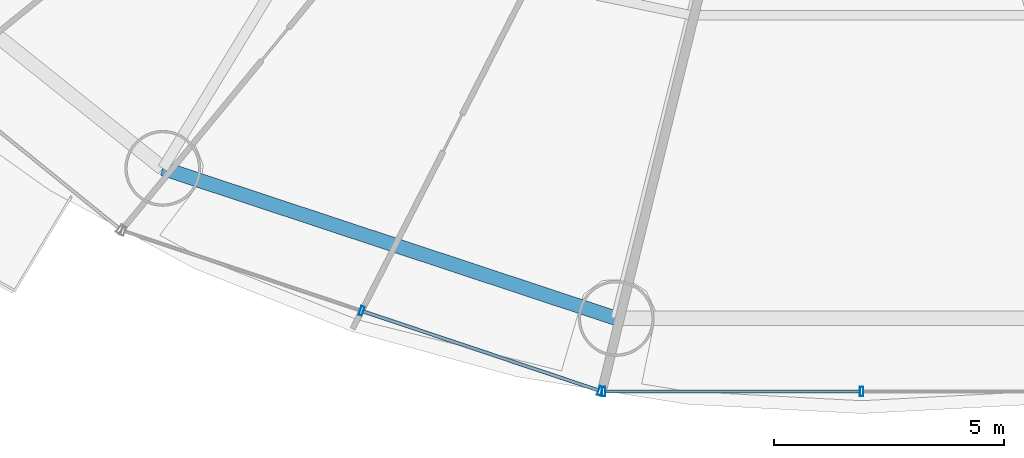
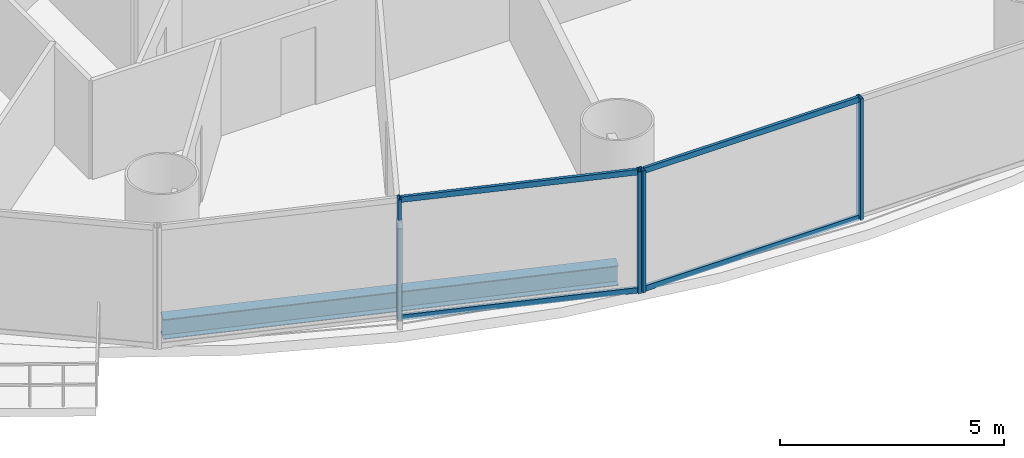
# One storey, part 4 of 30: 8 members, 1 beam, 2 elements without a shape of their own.
"""IFC4 building model written with IfcOpenShell, lengths in metres."""

from ifc_helpers import new_model, si_unit, direction, frame, origin, origin_2d, place, context, subcontext, project, spatial, hollow_rectangle, i_section, extrude, source, transform, mapped, material, material_profile, profile_set, type_object, element, aggregate, save


model = new_model("IFC4")

# Units and contexts
model_context = context("Model", 3, precision=1e-05, world=origin(), true_north=direction((-0.2419218956, 0.970295726276)))
body_context = subcontext(model_context, "Body", "Model", "MODEL_VIEW")
ifc_project = project(units=[si_unit("LENGTHUNIT", "METRE"), si_unit("AREAUNIT", "SQUARE_METRE"), si_unit("VOLUMEUNIT", "CUBIC_METRE"), si_unit("PLANEANGLEUNIT", "RADIAN"), si_unit("MASSUNIT", "GRAM", prefix="KILO")], contexts=[model_context])

# Site, building, storey
site_placement = place(None, origin())
site = spatial("IfcSite", under=ifc_project, at=site_placement, CompositionType="ELEMENT")
building_placement = place(site_placement, origin())
building = spatial("IfcBuilding", under=site, at=building_placement, Name="Cobrevalo Terracotta Tower", CompositionType="ELEMENT")
storey_placement = place(building_placement, frame((0.0, 0.0, 31.199951171875)))
storey = spatial("IfcBuildingStorey", under=building, at=storey_placement, Name="L07", CompositionType="ELEMENT", Elevation=31.199951171875)

# Beam
ifc_material_1 = material(Name="Steel S355", Category="steel")
ifc_material_profile_1 = material_profile(ifc_material_1, i_section(OverallWidth=0.31201171875, OverallDepth=0.54296875, WebThickness=0.0126953125, FlangeThickness=0.020263671875, at=origin_2d()), Name="W 530x150")
ifc_profile_set_1 = profile_set([ifc_material_profile_1], Name="Steel S355")
beam_type = type_object("IfcBeamType", Name="Structural Spandrel W 530x150 (Steel S355)", PredefinedType="SPANDREL", material=ifc_profile_set_1)
beam_placement = place(storey_placement, frame((22.80517578125, 8.63232421875, -0.551513671875), z_axis=(0.949372202648, -0.314153498848, 0.0), x_axis=(0.314153498848, 0.949372202648, 0.0)))
element("IfcBeam", 1, at=beam_placement, inside=storey, type_object=beam_type, Name="L07 perimeter ring spandrel 11", PredefinedType="SPANDREL", context=body_context, shape_type="SweptSolid", body=[
    extrude(i_section(OverallWidth=0.31201171875, OverallDepth=0.54296875, WebThickness=0.0126953125, FlangeThickness=0.020263671875, at=origin_2d()), origin(), (0.0, 0.0, 1.0), 10.385009765625),
])

# Curtain wall, members
ifc_material_2 = material(Name="Anodized aluminium", Category="aluminium")
curtain_wall_type = type_object("IfcCurtainWallType", Name="Lower-tower unitised acoustic low-E curtain wall CW-U1", PredefinedType="NOTDEFINED", material=ifc_material_2)
curtain_wall_1_placement = place(storey_placement, origin())
curtain_wall_1 = element("IfcCurtainWall", 2, at=curtain_wall_1_placement, inside=storey, type_object=curtain_wall_type, Name="L07 curtain wall CW-L07-S11", PredefinedType="NOTDEFINED")
ifc_material_profile_2 = material_profile(ifc_material_2, hollow_rectangle(XDim=0.074951171875, YDim=0.199951171875, WallThickness=0.0048828125, at=origin_2d()), Name="CWM 75x200")
ifc_profile_set_2 = profile_set([ifc_material_profile_2], Name="Anodized aluminium")
member_type_1 = type_object("IfcMemberType", Name="Lower/mid tower unitised mullion 75x200", PredefinedType="MULLION", material=ifc_profile_set_2)
shared_shape_1 = source(origin(), body_context, "Body", "SweptSolid", [
    extrude(hollow_rectangle(XDim=0.074951171875, YDim=0.199951171875, WallThickness=0.0048828125, at=origin_2d()), origin(), (0.0, 0.0, 1.0), 3.320068359375),
])
member_1_placement = place(storey_placement, frame((27.126708984375, 5.533203125, 0.0), z_axis=(0.0, 0.0, 1.0), x_axis=(0.948046393597, -0.318132103987, 0.0)))
member_1 = element("IfcMember", 3, at=member_1_placement, type_object=member_type_1, Name="CW-L07-S11 vertical mullion 02", PredefinedType="MULLION", context=body_context, shape_type="MappedRepresentation", body=[
    mapped(shared_shape_1, transform((0.0, 0.0, 0.0), scale=1.0)),
])
member_2_placement = place(storey_placement, frame((32.310302734375, 3.793701171875, 0.0), z_axis=(0.0, 0.0, 1.0), x_axis=(0.948046393597, -0.318132103987, 0.0)))
member_2 = element("IfcMember", 4, at=member_2_placement, type_object=member_type_1, Name="CW-L07-S11 vertical mullion 03", PredefinedType="MULLION", context=body_context, shape_type="MappedRepresentation", body=[
    mapped(shared_shape_1, transform((0.0, 0.0, 0.0), scale=1.0)),
])

curtain_wall_2_placement = place(storey_placement, origin())
curtain_wall_2 = element("IfcCurtainWall", 5, at=curtain_wall_2_placement, inside=storey, type_object=curtain_wall_type, Name="L07 curtain wall CW-L07-S12", PredefinedType="NOTDEFINED")
member_3_placement = place(storey_placement, frame((32.38818359375, 3.781005859375, 0.0), z_axis=(0.0, 0.0, 1.0), x_axis=(1.0, 0.0, 0.0)))
member_3 = element("IfcMember", 6, at=member_3_placement, type_object=member_type_1, Name="CW-L07-S12 vertical mullion 01", PredefinedType="MULLION", context=body_context, shape_type="MappedRepresentation", body=[
    mapped(shared_shape_1, transform((0.0, 0.0, 0.0), scale=1.0)),
])
member_4_placement = place(storey_placement, frame((38.0, 3.781005859375, 0.0), z_axis=(0.0, 0.0, 1.0), x_axis=(1.0, 0.0, 0.0)))
member_4 = element("IfcMember", 7, at=member_4_placement, type_object=member_type_1, Name="CW-L07-S12 vertical mullion 02", PredefinedType="MULLION", context=body_context, shape_type="MappedRepresentation", body=[
    mapped(shared_shape_1, transform((0.0, 0.0, 0.0), scale=1.0)),
])

# Member
ifc_material_profile_3 = material_profile(ifc_material_2, hollow_rectangle(XDim=0.074951171875, YDim=0.14990234375, WallThickness=0.00439453125, at=origin_2d()), Name="CWT 75x150")
ifc_profile_set_3 = profile_set([ifc_material_profile_3], Name="Anodized aluminium")
member_type_2 = type_object("IfcMemberType", Name="Tower unitised aluminium transom 75x150", PredefinedType="USERDEFINED", material=ifc_profile_set_3)
shared_shape_2 = source(origin(), body_context, "Body", "SweptSolid", [
    extrude(hollow_rectangle(XDim=0.074951171875, YDim=0.14990234375, WallThickness=0.00439453125, at=origin_2d()), origin(), (0.0, 0.0, 1.0), 5.387939453125),
])
member_5_placement = place(storey_placement, frame((27.16455078125, 5.5205078125, 0.050048828125), z_axis=(0.94804244582, -0.318143868278, 0.0), x_axis=(0.318143868278, 0.94804244582, 0.0)))
member_5 = element("IfcMember", 8, at=member_5_placement, type_object=member_type_2, Name="CW-L07-S11 transom B02-T1", ObjectType="TRANSOM", PredefinedType="USERDEFINED", context=body_context, shape_type="MappedRepresentation", body=[
    mapped(shared_shape_2, transform((0.0, 0.0, 0.0), scale=1.0)),
])

member_6_placement = place(storey_placement, frame((27.16455078125, 5.5205078125, 3.27001953125), z_axis=(0.94804244582, -0.318143868278, 0.0), x_axis=(0.318143868278, 0.94804244582, 0.0)))
member_6 = element("IfcMember", 9, at=member_6_placement, type_object=member_type_2, Name="CW-L07-S11 transom B02-T2", ObjectType="TRANSOM", PredefinedType="USERDEFINED", context=body_context, shape_type="MappedRepresentation", body=[
    mapped(shared_shape_2, transform((0.0, 0.0, 0.0), scale=1.0)),
])

aggregate(curtain_wall_1, [member_1, member_2, member_5, member_6])

shared_shape_3 = source(origin(), body_context, "Body", "SweptSolid", [
    extrude(hollow_rectangle(XDim=0.074951171875, YDim=0.14990234375, WallThickness=0.00439453125, at=origin_2d()), origin(), (0.0, 0.0, 1.0), 5.53173828125),
])
member_7_placement = place(storey_placement, frame((32.42822265625, 3.781005859375, 0.050048828125), z_axis=(1.0, 0.0, 0.0), x_axis=(0.0, 1.0, 0.0)))
member_7 = element("IfcMember", 10, at=member_7_placement, type_object=member_type_2, Name="CW-L07-S12 transom B01-T1", ObjectType="TRANSOM", PredefinedType="USERDEFINED", context=body_context, shape_type="MappedRepresentation", body=[
    mapped(shared_shape_3, transform((0.0, 0.0, 0.0), scale=1.0)),
])

member_8_placement = place(storey_placement, frame((32.42822265625, 3.781005859375, 3.27001953125), z_axis=(1.0, 0.0, 0.0), x_axis=(0.0, 1.0, 0.0)))
member_8 = element("IfcMember", 11, at=member_8_placement, type_object=member_type_2, Name="CW-L07-S12 transom B01-T2", ObjectType="TRANSOM", PredefinedType="USERDEFINED", context=body_context, shape_type="MappedRepresentation", body=[
    mapped(shared_shape_3, transform((0.0, 0.0, 0.0), scale=1.0)),
])

aggregate(curtain_wall_2, [member_3, member_4, member_7, member_8])

save(model, "model.ifc")
